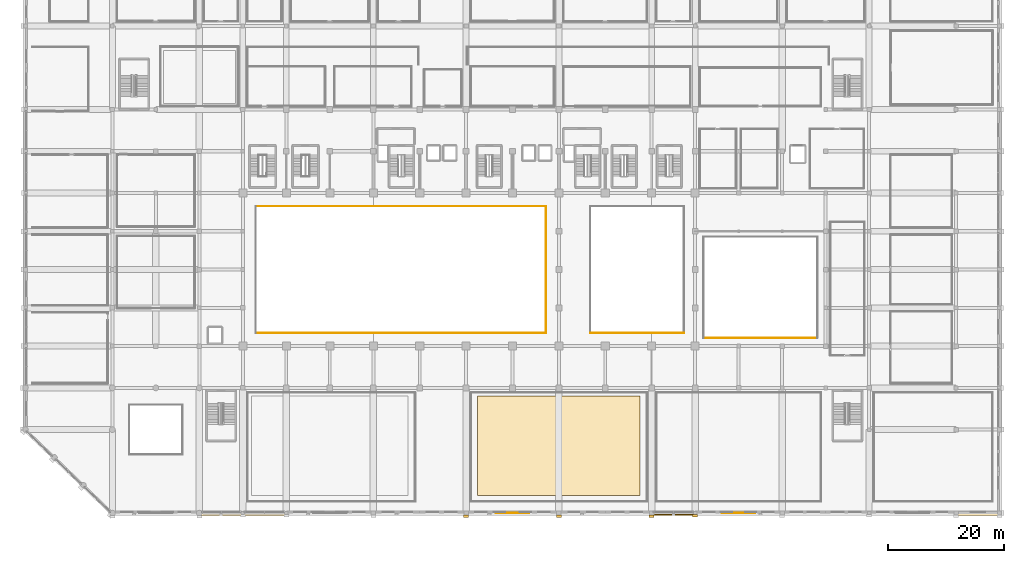
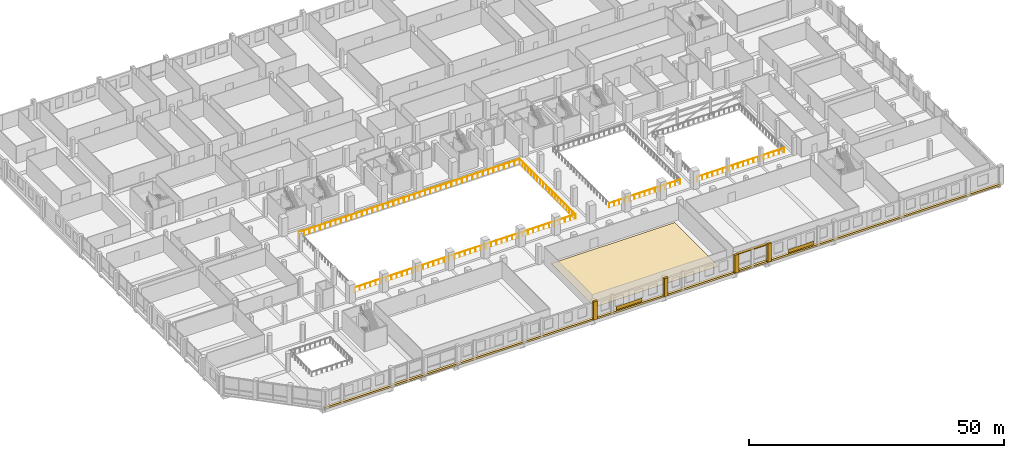
# One storey, part 57 of 64: 8 coverings, 5 railings, 1 shading device.
"""IFC4 building model written with IfcOpenShell, lengths in metres."""

from ifc_helpers import new_model, si_unit, direction, frame, origin, origin_2d, place, context, subcontext, project, spatial, rectangle, circle, extrude, material, layer, layer_set, type_object, element, save


model = new_model("IFC4")

# Units and contexts
model_context = context("Model", 3, precision=1e-05, world=origin(), true_north=direction((0.0, 1.0)))
body_context = subcontext(model_context, "Body", "Model", "MODEL_VIEW")
ifc_project = project(units=[si_unit("LENGTHUNIT", "METRE"), si_unit("AREAUNIT", "SQUARE_METRE"), si_unit("VOLUMEUNIT", "CUBIC_METRE"), si_unit("PLANEANGLEUNIT", "RADIAN"), si_unit("MASSUNIT", "GRAM", prefix="KILO")], contexts=[model_context])

# Site, building, storey
site_placement = place(None, origin())
site = spatial("IfcSite", under=ifc_project, at=site_placement, CompositionType="ELEMENT")
building_placement = place(site_placement, origin())
building = spatial("IfcBuilding", under=site, at=building_placement, Name="Akrevak Sports Hall", CompositionType="ELEMENT")
storey_placement = place(building_placement, frame((0.0, 0.0, 4.60009765625)))
storey = spatial("IfcBuildingStorey", under=building, at=storey_placement, Name="L01", CompositionType="ELEMENT", Elevation=4.60009765625)

# Coverings
ifc_material_1 = material(Name="Travertine", Category="stone")
ifc_layer_1 = layer(ifc_material_1, 0.080078125, Name="Travertine")
ifc_layer_set_1 = layer_set([ifc_layer_1], Name="Travertine")
covering_type_1 = type_object("IfcCoveringType", Name="ARC-COV-CLAD-TRV", PredefinedType="CLADDING", material=ifc_layer_set_1)
for number, where, z_axis, x_axis, name in (
    (1, (84.0, 0.02001953125, 0.02490234375), (0.0, 0.0, 1.0), (1.0, 0.0, 0.0), "Rusticated Travertine Plinth Band S03"),
    (2, (123.0, 0.02001953125, 0.02490234375), (0.0, 0.0, 1.0), (1.0, 0.0, 0.0), "Rusticated Travertine Plinth Band S04"),
):
    element("IfcCovering", number, at=place(storey_placement, frame(where, z_axis=z_axis, x_axis=x_axis)), inside=storey, type_object=covering_type_1, Name=name, PredefinedType="CLADDING", context=body_context, shape_type="SweptSolid", body=[
        extrude(rectangle(XDim=5.800048828125, YDim=0.080078125, at=origin_2d()), origin(), (0.0, 0.0, 1.0), 0.85009765625),
    ])
ifc_material_2 = material(Name="Limestone Ashlar", Category="stone")
ifc_layer_2 = layer(ifc_material_2, 0.6201171875, Name="Limestone Ashlar")
ifc_layer_set_2 = layer_set([ifc_layer_2], Name="Limestone Ashlar")
covering_type_2 = type_object("IfcCoveringType", Name="ARC-COV-CRN-LIM", PredefinedType="MOLDING", material=ifc_layer_set_2)
covering_1_placement = place(storey_placement, frame((91.5, -0.110107421875, -0.330078125), z_axis=(0.0, 0.0, 1.0), x_axis=(1.0, 0.0, 0.0)))
element("IfcCovering", 3, at=covering_1_placement, inside=storey, type_object=covering_type_2, Name="Street Arcade Limestone Entablature L01-ARC-01", PredefinedType="MOLDING", context=body_context, shape_type="SweptSolid", body=[
    extrude(rectangle(XDim=153.531982421875, YDim=0.5400390625, at=origin_2d()), origin(), (0.0, 0.0, 1.0), 0.419921875),
])
ifc_material_3 = material(Name="Sprung Hard Maple Sports Flooring", Category="wood")
ifc_layer_3 = layer(ifc_material_3, 0.044921875, Name="Sprung Hard Maple Sports Flooring")
ifc_layer_set_3 = layer_set([ifc_layer_3], Name="Sprung Hard Maple Sports Flooring")
covering_type_3 = type_object("IfcCoveringType", Name="ARC-COV-FLR-MAPLE", PredefinedType="FLOORING", material=ifc_layer_set_3)
covering_2_placement = place(storey_placement, frame((92.0, 11.60009765625, 0.0), z_axis=(0.0, 0.0, 1.0), x_axis=(1.0, 0.0, 0.0)))
element("IfcCovering", 4, at=covering_2_placement, inside=storey, type_object=covering_type_3, Name="Fitness Studio 2 Athletic Flooring", PredefinedType="FLOORING", context=body_context, shape_type="SweptSolid", body=[
    extrude(rectangle(XDim=28.0, YDim=17.199951171875, at=origin_2d()), origin(), (0.0, 0.0, 1.0), 0.044921875),
])
ifc_layer_4 = layer(ifc_material_2, 0.47998046875, Name="Limestone Ashlar")
ifc_layer_set_4 = layer_set([ifc_layer_4], Name="Limestone Ashlar")
covering_type_4 = type_object("IfcCoveringType", Name="ARC-COV-PIL-LIM", PredefinedType="CLADDING", material=ifc_layer_set_4)
for number, where, z_axis, x_axis, name in (
    (5, (76.0, -0.52490234375, -0.000244140625), (0.0, 0.0, 1.0), (1.0, 0.0, 0.0), "Giant-Order Limestone Pilaster L01-01-06"),
    (6, (92.0, -0.52490234375, -0.000244140625), (0.0, 0.0, 1.0), (1.0, 0.0, 0.0), "Giant-Order Limestone Pilaster L01-01-07"),
    (7, (108.0, -0.52490234375, -0.000244140625), (0.0, 0.0, 1.0), (1.0, 0.0, 0.0), "Giant-Order Limestone Pilaster L01-01-08"),
    (8, (115.5, -0.47509765625, -0.000244140625), (0.0, 0.0, 1.0), (1.0, 0.0, 0.0), "Giant-Order Limestone Pilaster L01-01-09"),
):
    element("IfcCovering", number, at=place(storey_placement, frame(where, z_axis=z_axis, x_axis=x_axis)), inside=storey, type_object=covering_type_4, Name=name, PredefinedType="CLADDING", context=body_context, shape_type="SweptSolid", body=[
        extrude(rectangle(XDim=0.8798828125, YDim=0.4599609375, at=origin_2d()), origin(), (0.0, 0.0, 1.0), 4.35009765625),
    ])

# Railings
ifc_material_4 = material(Name="Anodized Bronze Aluminium & Laminated Glass", Category="aluminium")
ifc_layer_5 = layer(ifc_material_4, 0.080078125, Name="Anodized Bronze Aluminium & Laminated Glass")
ifc_layer_set_5 = layer_set([ifc_layer_5], Name="Anodized Bronze Aluminium & Laminated Glass")
railing_type = type_object("IfcRailingType", Name="ARC-RL-GRD-1150", PredefinedType="GUARDRAIL", material=ifc_layer_set_5)
railing_1_placement = place(storey_placement, frame((39.719970703125, 31.070068359375, 0.0)))
element("IfcRailing", 9, at=railing_1_placement, inside=storey, type_object=railing_type, Name="Atrium/Arena Gallery Guardrail L01-HB1-S", PredefinedType="GUARDRAIL", context=body_context, shape_type="SweptSolid", body=[
    extrude(circle(Radius=0.02392578125, at=origin_2d()), frame((0.0, 0.0, 1.1259765625), z_axis=(1.0, 0.0, 0.0), x_axis=(0.0, 1.0, 0.0)), (0.0, 0.0, 1.0), 50.06005859375),
    extrude(circle(Radius=0.02099609375, at=origin_2d()), origin(), (0.0, 0.0, 1.0), 1.101806640625),
    extrude(circle(Radius=0.02099609375, at=origin_2d()), frame((1.19189453125, 0.0, 0.0)), (0.0, 0.0, 1.0), 1.101806640625),
    extrude(circle(Radius=0.02099609375, at=origin_2d()), frame((2.3837890625, 0.0, 0.0)), (0.0, 0.0, 1.0), 1.101806640625),
    extrude(circle(Radius=0.02099609375, at=origin_2d()), frame((3.57568359375, 0.0, 0.0)), (0.0, 0.0, 1.0), 1.101806640625),
    extrude(circle(Radius=0.02099609375, at=origin_2d()), frame((4.767578125, 0.0, 0.0)), (0.0, 0.0, 1.0), 1.101806640625),
    extrude(circle(Radius=0.02099609375, at=origin_2d()), frame((5.95947265625, 0.0, 0.0)), (0.0, 0.0, 1.0), 1.101806640625),
    extrude(circle(Radius=0.02099609375, at=origin_2d()), frame((7.1513671875, 0.0, 0.0)), (0.0, 0.0, 1.0), 1.101806640625),
    extrude(circle(Radius=0.02099609375, at=origin_2d()), frame((8.34326171875, 0.0, 0.0)), (0.0, 0.0, 1.0), 1.101806640625),
    extrude(circle(Radius=0.02099609375, at=origin_2d()), frame((9.53515625, 0.0, 0.0)), (0.0, 0.0, 1.0), 1.101806640625),
    extrude(circle(Radius=0.02099609375, at=origin_2d()), frame((10.72705078125, 0.0, 0.0)), (0.0, 0.0, 1.0), 1.101806640625),
    extrude(circle(Radius=0.02099609375, at=origin_2d()), frame((11.9189453125, 0.0, 0.0)), (0.0, 0.0, 1.0), 1.101806640625),
    extrude(circle(Radius=0.02099609375, at=origin_2d()), frame((13.111083984375, 0.0, 0.0)), (0.0, 0.0, 1.0), 1.101806640625),
    extrude(circle(Radius=0.02099609375, at=origin_2d()), frame((14.302978515625, 0.0, 0.0)), (0.0, 0.0, 1.0), 1.101806640625),
    extrude(circle(Radius=0.02099609375, at=origin_2d()), frame((15.494873046875, 0.0, 0.0)), (0.0, 0.0, 1.0), 1.101806640625),
    extrude(circle(Radius=0.02099609375, at=origin_2d()), frame((16.686767578125, 0.0, 0.0)), (0.0, 0.0, 1.0), 1.101806640625),
    extrude(circle(Radius=0.02099609375, at=origin_2d()), frame((17.878662109375, 0.0, 0.0)), (0.0, 0.0, 1.0), 1.101806640625),
    extrude(circle(Radius=0.02099609375, at=origin_2d()), frame((19.070556640625, 0.0, 0.0)), (0.0, 0.0, 1.0), 1.101806640625),
    extrude(circle(Radius=0.02099609375, at=origin_2d()), frame((20.262451171875, 0.0, 0.0)), (0.0, 0.0, 1.0), 1.101806640625),
    extrude(circle(Radius=0.02099609375, at=origin_2d()), frame((21.454345703125, 0.0, 0.0)), (0.0, 0.0, 1.0), 1.101806640625),
    extrude(circle(Radius=0.02099609375, at=origin_2d()), frame((22.646240234375, 0.0, 0.0)), (0.0, 0.0, 1.0), 1.101806640625),
    extrude(circle(Radius=0.02099609375, at=origin_2d()), frame((23.838134765625, 0.0, 0.0)), (0.0, 0.0, 1.0), 1.101806640625),
    extrude(circle(Radius=0.02099609375, at=origin_2d()), frame((25.030029296875, 0.0, 0.0)), (0.0, 0.0, 1.0), 1.101806640625),
    extrude(circle(Radius=0.02099609375, at=origin_2d()), frame((26.221923828125, 0.0, 0.0)), (0.0, 0.0, 1.0), 1.101806640625),
    extrude(circle(Radius=0.02099609375, at=origin_2d()), frame((27.413818359375, 0.0, 0.0)), (0.0, 0.0, 1.0), 1.101806640625),
    extrude(circle(Radius=0.02099609375, at=origin_2d()), frame((28.605712890625, 0.0, 0.0)), (0.0, 0.0, 1.0), 1.101806640625),
    extrude(circle(Radius=0.02099609375, at=origin_2d()), frame((29.797607421875, 0.0, 0.0)), (0.0, 0.0, 1.0), 1.101806640625),
    extrude(circle(Radius=0.02099609375, at=origin_2d()), frame((30.989501953125, 0.0, 0.0)), (0.0, 0.0, 1.0), 1.101806640625),
    extrude(circle(Radius=0.02099609375, at=origin_2d()), frame((32.181396484375, 0.0, 0.0)), (0.0, 0.0, 1.0), 1.101806640625),
    extrude(circle(Radius=0.02099609375, at=origin_2d()), frame((33.373291015625, 0.0, 0.0)), (0.0, 0.0, 1.0), 1.101806640625),
    extrude(circle(Radius=0.02099609375, at=origin_2d()), frame((34.565185546875, 0.0, 0.0)), (0.0, 0.0, 1.0), 1.101806640625),
    extrude(circle(Radius=0.02099609375, at=origin_2d()), frame((35.757080078125, 0.0, 0.0)), (0.0, 0.0, 1.0), 1.101806640625),
    extrude(circle(Radius=0.02099609375, at=origin_2d()), frame((36.948974609375, 0.0, 0.0)), (0.0, 0.0, 1.0), 1.101806640625),
    extrude(circle(Radius=0.02099609375, at=origin_2d()), frame((38.14111328125, 0.0, 0.0)), (0.0, 0.0, 1.0), 1.101806640625),
    extrude(circle(Radius=0.02099609375, at=origin_2d()), frame((39.3330078125, 0.0, 0.0)), (0.0, 0.0, 1.0), 1.101806640625),
    extrude(circle(Radius=0.02099609375, at=origin_2d()), frame((40.52490234375, 0.0, 0.0)), (0.0, 0.0, 1.0), 1.101806640625),
    extrude(circle(Radius=0.02099609375, at=origin_2d()), frame((41.716796875, 0.0, 0.0)), (0.0, 0.0, 1.0), 1.101806640625),
    extrude(circle(Radius=0.02099609375, at=origin_2d()), frame((42.90869140625, 0.0, 0.0)), (0.0, 0.0, 1.0), 1.101806640625),
    extrude(circle(Radius=0.02099609375, at=origin_2d()), frame((44.1005859375, 0.0, 0.0)), (0.0, 0.0, 1.0), 1.101806640625),
    extrude(circle(Radius=0.02099609375, at=origin_2d()), frame((45.29248046875, 0.0, 0.0)), (0.0, 0.0, 1.0), 1.101806640625),
    extrude(circle(Radius=0.02099609375, at=origin_2d()), frame((46.484375, 0.0, 0.0)), (0.0, 0.0, 1.0), 1.101806640625),
    extrude(circle(Radius=0.02099609375, at=origin_2d()), frame((47.67626953125, 0.0, 0.0)), (0.0, 0.0, 1.0), 1.101806640625),
    extrude(circle(Radius=0.02099609375, at=origin_2d()), frame((48.8681640625, 0.0, 0.0)), (0.0, 0.0, 1.0), 1.101806640625),
    extrude(circle(Radius=0.02099609375, at=origin_2d()), frame((50.06005859375, 0.0, 0.0)), (0.0, 0.0, 1.0), 1.101806640625),
])
railing_2_placement = place(storey_placement, frame((89.780029296875, 52.929931640625, 0.0)))
element("IfcRailing", 10, at=railing_2_placement, inside=storey, type_object=railing_type, Name="Atrium/Arena Gallery Guardrail L01-HB1-N", PredefinedType="GUARDRAIL", context=body_context, shape_type="SweptSolid", body=[
    extrude(circle(Radius=0.02392578125, at=origin_2d()), frame((0.0, 0.0, 1.1259765625), z_axis=(-1.0, 0.0, 0.0), x_axis=(0.0, -1.0, 0.0)), (0.0, 0.0, 1.0), 50.06005859375),
    extrude(circle(Radius=0.02099609375, at=origin_2d()), origin(), (0.0, 0.0, 1.0), 1.101806640625),
    extrude(circle(Radius=0.02099609375, at=origin_2d()), frame((-1.19189453125, 0.0, 0.0)), (0.0, 0.0, 1.0), 1.101806640625),
    extrude(circle(Radius=0.02099609375, at=origin_2d()), frame((-2.3837890625, 0.0, 0.0)), (0.0, 0.0, 1.0), 1.101806640625),
    extrude(circle(Radius=0.02099609375, at=origin_2d()), frame((-3.57568359375, 0.0, 0.0)), (0.0, 0.0, 1.0), 1.101806640625),
    extrude(circle(Radius=0.02099609375, at=origin_2d()), frame((-4.767578125, 0.0, 0.0)), (0.0, 0.0, 1.0), 1.101806640625),
    extrude(circle(Radius=0.02099609375, at=origin_2d()), frame((-5.95947265625, 0.0, 0.0)), (0.0, 0.0, 1.0), 1.101806640625),
    extrude(circle(Radius=0.02099609375, at=origin_2d()), frame((-7.1513671875, 0.0, 0.0)), (0.0, 0.0, 1.0), 1.101806640625),
    extrude(circle(Radius=0.02099609375, at=origin_2d()), frame((-8.34326171875, 0.0, 0.0)), (0.0, 0.0, 1.0), 1.101806640625),
    extrude(circle(Radius=0.02099609375, at=origin_2d()), frame((-9.53515625, 0.0, 0.0)), (0.0, 0.0, 1.0), 1.101806640625),
    extrude(circle(Radius=0.02099609375, at=origin_2d()), frame((-10.72705078125, 0.0, 0.0)), (0.0, 0.0, 1.0), 1.101806640625),
    extrude(circle(Radius=0.02099609375, at=origin_2d()), frame((-11.9189453125, 0.0, 0.0)), (0.0, 0.0, 1.0), 1.101806640625),
    extrude(circle(Radius=0.02099609375, at=origin_2d()), frame((-13.111083984375, 0.0, 0.0)), (0.0, 0.0, 1.0), 1.101806640625),
    extrude(circle(Radius=0.02099609375, at=origin_2d()), frame((-14.302978515625, 0.0, 0.0)), (0.0, 0.0, 1.0), 1.101806640625),
    extrude(circle(Radius=0.02099609375, at=origin_2d()), frame((-15.494873046875, 0.0, 0.0)), (0.0, 0.0, 1.0), 1.101806640625),
    extrude(circle(Radius=0.02099609375, at=origin_2d()), frame((-16.686767578125, 0.0, 0.0)), (0.0, 0.0, 1.0), 1.101806640625),
    extrude(circle(Radius=0.02099609375, at=origin_2d()), frame((-17.878662109375, 0.0, 0.0)), (0.0, 0.0, 1.0), 1.101806640625),
    extrude(circle(Radius=0.02099609375, at=origin_2d()), frame((-19.070556640625, 0.0, 0.0)), (0.0, 0.0, 1.0), 1.101806640625),
    extrude(circle(Radius=0.02099609375, at=origin_2d()), frame((-20.262451171875, 0.0, 0.0)), (0.0, 0.0, 1.0), 1.101806640625),
    extrude(circle(Radius=0.02099609375, at=origin_2d()), frame((-21.454345703125, 0.0, 0.0)), (0.0, 0.0, 1.0), 1.101806640625),
    extrude(circle(Radius=0.02099609375, at=origin_2d()), frame((-22.646240234375, 0.0, 0.0)), (0.0, 0.0, 1.0), 1.101806640625),
    extrude(circle(Radius=0.02099609375, at=origin_2d()), frame((-23.838134765625, 0.0, 0.0)), (0.0, 0.0, 1.0), 1.101806640625),
    extrude(circle(Radius=0.02099609375, at=origin_2d()), frame((-25.030029296875, 0.0, 0.0)), (0.0, 0.0, 1.0), 1.101806640625),
    extrude(circle(Radius=0.02099609375, at=origin_2d()), frame((-26.221923828125, 0.0, 0.0)), (0.0, 0.0, 1.0), 1.101806640625),
    extrude(circle(Radius=0.02099609375, at=origin_2d()), frame((-27.413818359375, 0.0, 0.0)), (0.0, 0.0, 1.0), 1.101806640625),
    extrude(circle(Radius=0.02099609375, at=origin_2d()), frame((-28.605712890625, 0.0, 0.0)), (0.0, 0.0, 1.0), 1.101806640625),
    extrude(circle(Radius=0.02099609375, at=origin_2d()), frame((-29.797607421875, 0.0, 0.0)), (0.0, 0.0, 1.0), 1.101806640625),
    extrude(circle(Radius=0.02099609375, at=origin_2d()), frame((-30.989501953125, 0.0, 0.0)), (0.0, 0.0, 1.0), 1.101806640625),
    extrude(circle(Radius=0.02099609375, at=origin_2d()), frame((-32.181396484375, 0.0, 0.0)), (0.0, 0.0, 1.0), 1.101806640625),
    extrude(circle(Radius=0.02099609375, at=origin_2d()), frame((-33.373291015625, 0.0, 0.0)), (0.0, 0.0, 1.0), 1.101806640625),
    extrude(circle(Radius=0.02099609375, at=origin_2d()), frame((-34.565185546875, 0.0, 0.0)), (0.0, 0.0, 1.0), 1.101806640625),
    extrude(circle(Radius=0.02099609375, at=origin_2d()), frame((-35.757080078125, 0.0, 0.0)), (0.0, 0.0, 1.0), 1.101806640625),
    extrude(circle(Radius=0.02099609375, at=origin_2d()), frame((-36.948974609375, 0.0, 0.0)), (0.0, 0.0, 1.0), 1.101806640625),
    extrude(circle(Radius=0.02099609375, at=origin_2d()), frame((-38.14111328125, 0.0, 0.0)), (0.0, 0.0, 1.0), 1.101806640625),
    extrude(circle(Radius=0.02099609375, at=origin_2d()), frame((-39.3330078125, 0.0, 0.0)), (0.0, 0.0, 1.0), 1.101806640625),
    extrude(circle(Radius=0.02099609375, at=origin_2d()), frame((-40.52490234375, 0.0, 0.0)), (0.0, 0.0, 1.0), 1.101806640625),
    extrude(circle(Radius=0.02099609375, at=origin_2d()), frame((-41.716796875, 0.0, 0.0)), (0.0, 0.0, 1.0), 1.101806640625),
    extrude(circle(Radius=0.02099609375, at=origin_2d()), frame((-42.90869140625, 0.0, 0.0)), (0.0, 0.0, 1.0), 1.101806640625),
    extrude(circle(Radius=0.02099609375, at=origin_2d()), frame((-44.1005859375, 0.0, 0.0)), (0.0, 0.0, 1.0), 1.101806640625),
    extrude(circle(Radius=0.02099609375, at=origin_2d()), frame((-45.29248046875, 0.0, 0.0)), (0.0, 0.0, 1.0), 1.101806640625),
    extrude(circle(Radius=0.02099609375, at=origin_2d()), frame((-46.484375, 0.0, 0.0)), (0.0, 0.0, 1.0), 1.101806640625),
    extrude(circle(Radius=0.02099609375, at=origin_2d()), frame((-47.67626953125, 0.0, 0.0)), (0.0, 0.0, 1.0), 1.101806640625),
    extrude(circle(Radius=0.02099609375, at=origin_2d()), frame((-48.8681640625, 0.0, 0.0)), (0.0, 0.0, 1.0), 1.101806640625),
    extrude(circle(Radius=0.02099609375, at=origin_2d()), frame((-50.06005859375, 0.0, 0.0)), (0.0, 0.0, 1.0), 1.101806640625),
])
railing_3_placement = place(storey_placement, frame((89.780029296875, 31.070068359375, 0.0)))
element("IfcRailing", 11, at=railing_3_placement, inside=storey, type_object=railing_type, Name="Atrium/Arena Gallery Guardrail L01-HB1-E", PredefinedType="GUARDRAIL", context=body_context, shape_type="SweptSolid", body=[
    extrude(circle(Radius=0.02392578125, at=origin_2d()), frame((0.0, 0.0, 1.1259765625), z_axis=(0.0, 1.0, 0.0), x_axis=(-1.0, 0.0, 0.0)), (0.0, 0.0, 1.0), 21.85986328125),
    extrude(circle(Radius=0.02099609375, at=origin_2d()), origin(), (0.0, 0.0, 1.0), 1.101806640625),
    extrude(circle(Radius=0.02099609375, at=origin_2d()), frame((0.0, 1.150634765625, 0.0)), (0.0, 0.0, 1.0), 1.101806640625),
    extrude(circle(Radius=0.02099609375, at=origin_2d()), frame((0.0, 2.301025390625, 0.0)), (0.0, 0.0, 1.0), 1.101806640625),
    extrude(circle(Radius=0.02099609375, at=origin_2d()), frame((0.0, 3.45166015625, 0.0)), (0.0, 0.0, 1.0), 1.101806640625),
    extrude(circle(Radius=0.02099609375, at=origin_2d()), frame((0.0, 4.60205078125, 0.0)), (0.0, 0.0, 1.0), 1.101806640625),
    extrude(circle(Radius=0.02099609375, at=origin_2d()), frame((0.0, 5.752685546875, 0.0)), (0.0, 0.0, 1.0), 1.101806640625),
    extrude(circle(Radius=0.02099609375, at=origin_2d()), frame((0.0, 6.903076171875, 0.0)), (0.0, 0.0, 1.0), 1.101806640625),
    extrude(circle(Radius=0.02099609375, at=origin_2d()), frame((0.0, 8.0537109375, 0.0)), (0.0, 0.0, 1.0), 1.101806640625),
    extrude(circle(Radius=0.02099609375, at=origin_2d()), frame((0.0, 9.2041015625, 0.0)), (0.0, 0.0, 1.0), 1.101806640625),
    extrude(circle(Radius=0.02099609375, at=origin_2d()), frame((0.0, 10.354736328125, 0.0)), (0.0, 0.0, 1.0), 1.101806640625),
    extrude(circle(Radius=0.02099609375, at=origin_2d()), frame((0.0, 11.505126953125, 0.0)), (0.0, 0.0, 1.0), 1.101806640625),
    extrude(circle(Radius=0.02099609375, at=origin_2d()), frame((0.0, 12.65576171875, 0.0)), (0.0, 0.0, 1.0), 1.101806640625),
    extrude(circle(Radius=0.02099609375, at=origin_2d()), frame((0.0, 13.80615234375, 0.0)), (0.0, 0.0, 1.0), 1.101806640625),
    extrude(circle(Radius=0.02099609375, at=origin_2d()), frame((0.0, 14.956787109375, 0.0)), (0.0, 0.0, 1.0), 1.101806640625),
    extrude(circle(Radius=0.02099609375, at=origin_2d()), frame((0.0, 16.107177734375, 0.0)), (0.0, 0.0, 1.0), 1.101806640625),
    extrude(circle(Radius=0.02099609375, at=origin_2d()), frame((0.0, 17.2578125, 0.0)), (0.0, 0.0, 1.0), 1.101806640625),
    extrude(circle(Radius=0.02099609375, at=origin_2d()), frame((0.0, 18.408203125, 0.0)), (0.0, 0.0, 1.0), 1.101806640625),
    extrude(circle(Radius=0.02099609375, at=origin_2d()), frame((0.0, 19.558837890625, 0.0)), (0.0, 0.0, 1.0), 1.101806640625),
    extrude(circle(Radius=0.02099609375, at=origin_2d()), frame((0.0, 20.709228515625, 0.0)), (0.0, 0.0, 1.0), 1.101806640625),
    extrude(circle(Radius=0.02099609375, at=origin_2d()), frame((0.0, 21.85986328125, 0.0)), (0.0, 0.0, 1.0), 1.101806640625),
])
railing_4_placement = place(storey_placement, frame((97.419921875, 31.070068359375, 0.0)))
element("IfcRailing", 12, at=railing_4_placement, inside=storey, type_object=railing_type, Name="Atrium/Arena Gallery Guardrail L01-BLD-S", PredefinedType="GUARDRAIL", context=body_context, shape_type="SweptSolid", body=[
    extrude(circle(Radius=0.02392578125, at=origin_2d()), frame((0.0, 0.0, 1.1259765625), z_axis=(1.0, 0.0, 0.0), x_axis=(0.0, 1.0, 0.0)), (0.0, 0.0, 1.0), 16.16015625),
    extrude(circle(Radius=0.02099609375, at=origin_2d()), origin(), (0.0, 0.0, 1.0), 1.101806640625),
    extrude(circle(Radius=0.02099609375, at=origin_2d()), frame((1.154296875, 0.0, 0.0)), (0.0, 0.0, 1.0), 1.101806640625),
    extrude(circle(Radius=0.02099609375, at=origin_2d()), frame((2.30859375, 0.0, 0.0)), (0.0, 0.0, 1.0), 1.101806640625),
    extrude(circle(Radius=0.02099609375, at=origin_2d()), frame((3.462890625, 0.0, 0.0)), (0.0, 0.0, 1.0), 1.101806640625),
    extrude(circle(Radius=0.02099609375, at=origin_2d()), frame((4.6171875, 0.0, 0.0)), (0.0, 0.0, 1.0), 1.101806640625),
    extrude(circle(Radius=0.02099609375, at=origin_2d()), frame((5.771484375, 0.0, 0.0)), (0.0, 0.0, 1.0), 1.101806640625),
    extrude(circle(Radius=0.02099609375, at=origin_2d()), frame((6.92578125, 0.0, 0.0)), (0.0, 0.0, 1.0), 1.101806640625),
    extrude(circle(Radius=0.02099609375, at=origin_2d()), frame((8.080078125, 0.0, 0.0)), (0.0, 0.0, 1.0), 1.101806640625),
    extrude(circle(Radius=0.02099609375, at=origin_2d()), frame((9.234375, 0.0, 0.0)), (0.0, 0.0, 1.0), 1.101806640625),
    extrude(circle(Radius=0.02099609375, at=origin_2d()), frame((10.388671875, 0.0, 0.0)), (0.0, 0.0, 1.0), 1.101806640625),
    extrude(circle(Radius=0.02099609375, at=origin_2d()), frame((11.54296875, 0.0, 0.0)), (0.0, 0.0, 1.0), 1.101806640625),
    extrude(circle(Radius=0.02099609375, at=origin_2d()), frame((12.697265625, 0.0, 0.0)), (0.0, 0.0, 1.0), 1.101806640625),
    extrude(circle(Radius=0.02099609375, at=origin_2d()), frame((13.8515625, 0.0, 0.0)), (0.0, 0.0, 1.0), 1.101806640625),
    extrude(circle(Radius=0.02099609375, at=origin_2d()), frame((15.005859375, 0.0, 0.0)), (0.0, 0.0, 1.0), 1.101806640625),
    extrude(circle(Radius=0.02099609375, at=origin_2d()), frame((16.16015625, 0.0, 0.0)), (0.0, 0.0, 1.0), 1.101806640625),
])
railing_5_placement = place(storey_placement, frame((116.919921875, 30.219970703125, 0.0)))
element("IfcRailing", 13, at=railing_5_placement, inside=storey, type_object=railing_type, Name="Atrium/Arena Gallery Guardrail L01-CLM-S", PredefinedType="GUARDRAIL", context=body_context, shape_type="SweptSolid", body=[
    extrude(circle(Radius=0.02392578125, at=origin_2d()), frame((0.0, 0.0, 1.1259765625), z_axis=(1.0, 0.0, 0.0), x_axis=(0.0, 1.0, 0.0)), (0.0, 0.0, 1.0), 19.66015625),
    extrude(circle(Radius=0.02099609375, at=origin_2d()), origin(), (0.0, 0.0, 1.0), 1.101806640625),
    extrude(circle(Radius=0.02099609375, at=origin_2d()), frame((1.156494140625, 0.0, 0.0)), (0.0, 0.0, 1.0), 1.101806640625),
    extrude(circle(Radius=0.02099609375, at=origin_2d()), frame((2.31298828125, 0.0, 0.0)), (0.0, 0.0, 1.0), 1.101806640625),
    extrude(circle(Radius=0.02099609375, at=origin_2d()), frame((3.469482421875, 0.0, 0.0)), (0.0, 0.0, 1.0), 1.101806640625),
    extrude(circle(Radius=0.02099609375, at=origin_2d()), frame((4.6259765625, 0.0, 0.0)), (0.0, 0.0, 1.0), 1.101806640625),
    extrude(circle(Radius=0.02099609375, at=origin_2d()), frame((5.782470703125, 0.0, 0.0)), (0.0, 0.0, 1.0), 1.101806640625),
    extrude(circle(Radius=0.02099609375, at=origin_2d()), frame((6.93896484375, 0.0, 0.0)), (0.0, 0.0, 1.0), 1.101806640625),
    extrude(circle(Radius=0.02099609375, at=origin_2d()), frame((8.095458984375, 0.0, 0.0)), (0.0, 0.0, 1.0), 1.101806640625),
    extrude(circle(Radius=0.02099609375, at=origin_2d()), frame((9.251953125, 0.0, 0.0)), (0.0, 0.0, 1.0), 1.101806640625),
    extrude(circle(Radius=0.02099609375, at=origin_2d()), frame((10.408203125, 0.0, 0.0)), (0.0, 0.0, 1.0), 1.101806640625),
    extrude(circle(Radius=0.02099609375, at=origin_2d()), frame((11.564697265625, 0.0, 0.0)), (0.0, 0.0, 1.0), 1.101806640625),
    extrude(circle(Radius=0.02099609375, at=origin_2d()), frame((12.72119140625, 0.0, 0.0)), (0.0, 0.0, 1.0), 1.101806640625),
    extrude(circle(Radius=0.02099609375, at=origin_2d()), frame((13.877685546875, 0.0, 0.0)), (0.0, 0.0, 1.0), 1.101806640625),
    extrude(circle(Radius=0.02099609375, at=origin_2d()), frame((15.0341796875, 0.0, 0.0)), (0.0, 0.0, 1.0), 1.101806640625),
    extrude(circle(Radius=0.02099609375, at=origin_2d()), frame((16.190673828125, 0.0, 0.0)), (0.0, 0.0, 1.0), 1.101806640625),
    extrude(circle(Radius=0.02099609375, at=origin_2d()), frame((17.34716796875, 0.0, 0.0)), (0.0, 0.0, 1.0), 1.101806640625),
    extrude(circle(Radius=0.02099609375, at=origin_2d()), frame((18.503662109375, 0.0, 0.0)), (0.0, 0.0, 1.0), 1.101806640625),
    extrude(circle(Radius=0.02099609375, at=origin_2d()), frame((19.66015625, 0.0, 0.0)), (0.0, 0.0, 1.0), 1.101806640625),
])

# Shading device
ifc_material_5 = material(Name="Anodized Bronze Aluminium", Category="aluminium")
shading_device_type = type_object("IfcShadingDeviceType", Name="ARC-SHD-BRZ-300", PredefinedType="JALOUSIE", material=ifc_material_5)
shading_device_placement = place(storey_placement, frame((111.77490234375, 0.06005859375, 3.81005859375), z_axis=(0.0, 0.0, 1.0), x_axis=(1.0, 0.0, 0.0)))
element("IfcShadingDevice", 14, at=shading_device_placement, inside=storey, type_object=shading_device_type, Name="Bronze Sun-Shading Louvre SH-03", PredefinedType="JALOUSIE", context=body_context, shape_type="SweptSolid", body=[
    extrude(rectangle(XDim=6.528076171875, YDim=0.56005859375, at=origin_2d()), origin(), (0.0, 0.0, 1.0), 0.179931640625),
])

save(model, "model.ifc")
